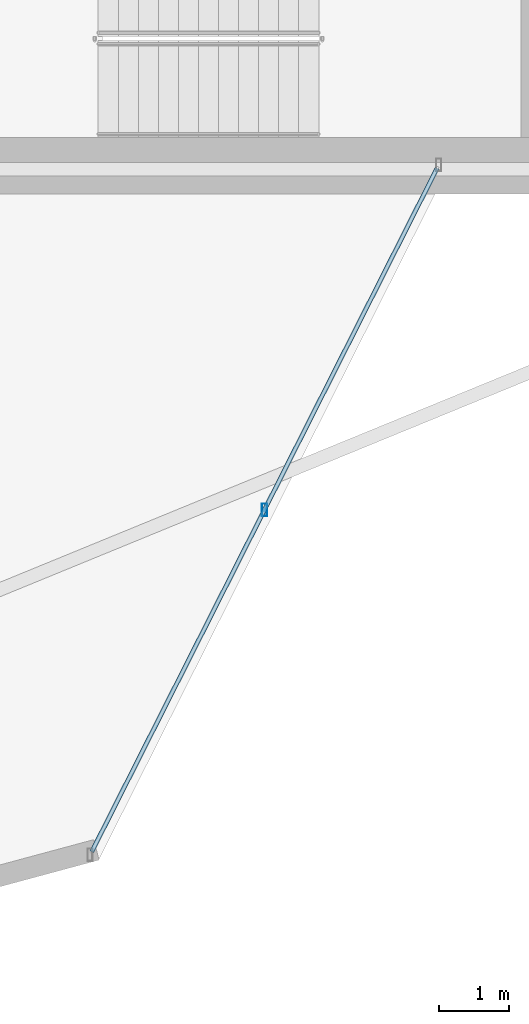
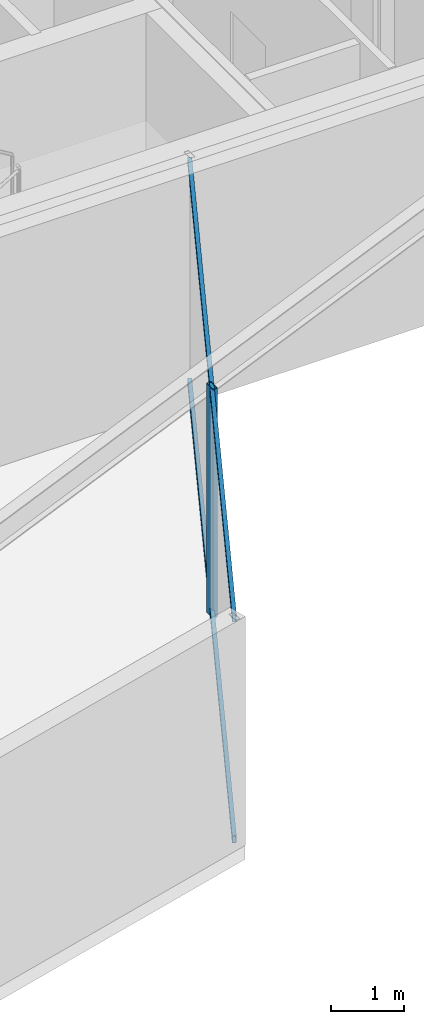
# One storey, part 12 of 25: 3 members, 1 element without a shape of its own.
"""IFC4 building model written with IfcOpenShell, lengths in metres."""

from ifc_helpers import new_model, si_unit, direction, frame, origin, origin_2d, place, context, subcontext, project, spatial, hollow_rectangle, extrude, material, layer, layer_set, material_profile, profile_set, type_object, element, aggregate, save


model = new_model("IFC4")

# Units and contexts
model_context = context("Model", 3, precision=1e-05, world=origin(), true_north=direction((0.0, 1.0)))
body_context = subcontext(model_context, "Body", "Model", "MODEL_VIEW")
ifc_project = project(units=[si_unit("LENGTHUNIT", "METRE"), si_unit("AREAUNIT", "SQUARE_METRE"), si_unit("VOLUMEUNIT", "CUBIC_METRE"), si_unit("PLANEANGLEUNIT", "RADIAN"), si_unit("MASSUNIT", "GRAM", prefix="KILO")], contexts=[model_context])

# Site, building, storey
site_placement = place(None, origin())
site = spatial("IfcSite", under=ifc_project, at=site_placement, CompositionType="ELEMENT")
building_placement = place(site_placement, origin())
building = spatial("IfcBuilding", under=site, at=building_placement, Name="Veymaron Broadcast Tower", CompositionType="ELEMENT")
storey_placement = place(building_placement, frame((0.0, 0.0, 137.10009765625)))
storey = spatial("IfcBuildingStorey", under=building, at=storey_placement, Name="L31", CompositionType="ELEMENT", Elevation=137.10009765625)

# Curtain wall, members
ifc_material_1 = material(Name="Anodised aluminium AA 6063-T6 and laminated low-E dark glass", Category="aluminium")
ifc_layer = layer(ifc_material_1, 0.179931640625)
ifc_layer_set = layer_set([ifc_layer], Name="Anodised aluminium AA 6063-T6 and laminated low-E dark glass")
curtain_wall_type = type_object("IfcCurtainWallType", Name="CW-SYS-03", PredefinedType="NOTDEFINED", material=ifc_layer_set)
curtain_wall_placement = place(storey_placement, origin())
curtain_wall = element("IfcCurtainWall", 1, at=curtain_wall_placement, inside=storey, type_object=curtain_wall_type, Name="L31 dark-glass curtain wall CW-L31-E20-1", PredefinedType="NOTDEFINED")
ifc_material_2 = material(Name="Anodised aluminium AA 6063-T6", Category="aluminium")
ifc_material_profile_1 = material_profile(ifc_material_2, hollow_rectangle(XDim=0.074951171875, YDim=0.179931640625, WallThickness=0.0048828125, at=origin_2d()), Name="AL180X75X5")
ifc_profile_set_1 = profile_set([ifc_material_profile_1], Name="Anodised aluminium AA 6063-T6")
member_type_1 = type_object("IfcMemberType", Name="CW-MUL-02", PredefinedType="MULLION", material=ifc_profile_set_1)
member_1_placement = place(storey_placement, frame((43.79296875, 11.158203125, 0.0), z_axis=(0.0, 0.0, 1.0), x_axis=(1.0, 0.0, 0.0)))
member_1 = element("IfcMember", 2, at=member_1_placement, type_object=member_type_1, Name="CW-L31-E20-1 mullion 1", PredefinedType="MULLION", context=body_context, shape_type="SweptSolid", body=[
    extrude(hollow_rectangle(XDim=0.074951171875, YDim=0.179931640625, WallThickness=0.0048828125, at=origin_2d()), origin(), (0.0, 0.0, 1.0), 3.809814453125),
])
ifc_material_profile_2 = material_profile(ifc_material_2, hollow_rectangle(XDim=0.06005859375, YDim=0.1201171875, WallThickness=0.00390625, at=origin_2d()), Name="AL120X60X4")
ifc_profile_set_2 = profile_set([ifc_material_profile_2], Name="Anodised aluminium AA 6063-T6")
member_type_2 = type_object("IfcMemberType", Name="CW-TRN-02", PredefinedType="USERDEFINED", material=ifc_profile_set_2)
member_2_placement = place(storey_placement, frame((41.33740234375, 6.297607421875, 0.06982421875), z_axis=(0.45091301008, 0.892567900689, 0.0), x_axis=(-0.892567900689, 0.45091301008, 0.0)))
member_2 = element("IfcMember", 3, at=member_2_placement, type_object=member_type_2, Name="CW-L31-E20-1 transom B", ObjectType="TRANSOM", PredefinedType="USERDEFINED", context=body_context, shape_type="SweptSolid", body=[
    extrude(hollow_rectangle(XDim=0.06005859375, YDim=0.1201171875, WallThickness=0.00390625, at=origin_2d()), origin(), (0.0, 0.0, 1.0), 10.890869140625),
])
member_3_placement = place(storey_placement, frame((41.33740234375, 6.297607421875, 3.739990234375), z_axis=(0.45091301008, 0.892567900689, 0.0), x_axis=(-0.892567900689, 0.45091301008, 0.0)))
member_3 = element("IfcMember", 4, at=member_3_placement, type_object=member_type_2, Name="CW-L31-E20-1 transom T", ObjectType="TRANSOM", PredefinedType="USERDEFINED", context=body_context, shape_type="SweptSolid", body=[
    extrude(hollow_rectangle(XDim=0.06005859375, YDim=0.1201171875, WallThickness=0.00390625, at=origin_2d()), origin(), (0.0, 0.0, 1.0), 10.890869140625),
])
aggregate(curtain_wall, [member_1, member_2, member_3])

save(model, "model.ifc")
